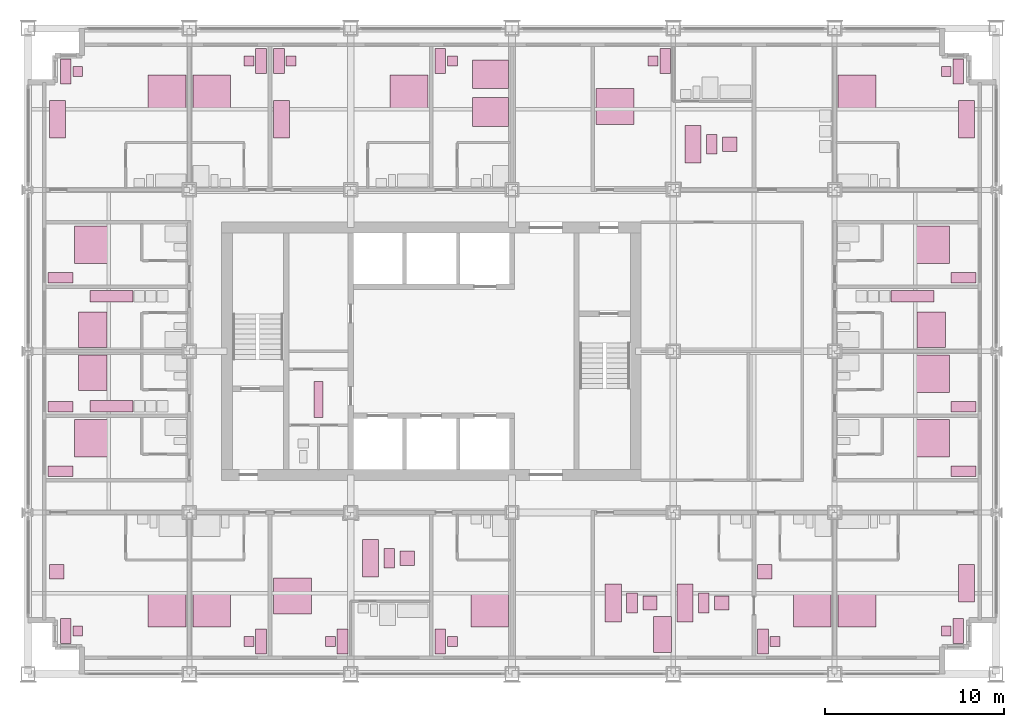
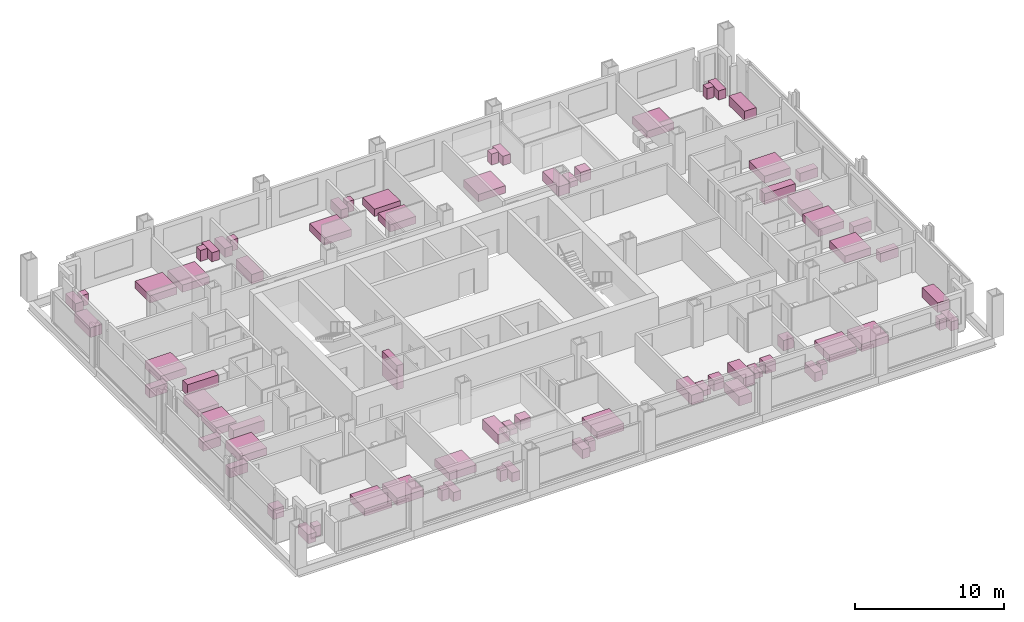
# One storey, part 18 of 18: 74 furniture elements.
"""IFC4 building model written with IfcOpenShell, lengths in metres."""

from ifc_helpers import new_model, si_unit, direction, frame, origin, origin_2d, place, context, subcontext, project, spatial, rectangle, extrude, element, save


model = new_model("IFC4")

# Units and contexts
model_context = context("Model", 3, precision=1e-05, world=origin(), true_north=direction((0.0, 1.0)))
body_context = subcontext(model_context, "Body", "Model", "MODEL_VIEW")
ifc_project = project(units=[si_unit("LENGTHUNIT", "METRE"), si_unit("AREAUNIT", "SQUARE_METRE"), si_unit("VOLUMEUNIT", "CUBIC_METRE"), si_unit("PLANEANGLEUNIT", "RADIAN"), si_unit("MASSUNIT", "GRAM", prefix="KILO")], contexts=[model_context])

# Site, building, storey
site_placement = place(None, origin())
site = spatial("IfcSite", under=ifc_project, at=site_placement, CompositionType="ELEMENT")
building_placement = place(site_placement, origin())
building = spatial("IfcBuilding", under=site, at=building_placement, Name="Loomwork Tower", CompositionType="ELEMENT")
storey_placement = place(building_placement, frame((0.0, 0.0, 55.199951171875)))
storey = spatial("IfcBuildingStorey", under=building, at=storey_placement, Name="L13", CompositionType="ELEMENT", Elevation=55.199951171875)

# Furniture
furniture_1_placement = place(storey_placement, frame((7.75, 3.60009765625, 0.0), z_axis=(0.0, 0.0, 1.0), x_axis=(1.0, 0.0, 0.0)))
element("IfcFurniture", 1, at=furniture_1_placement, inside=storey, Name="King bed L13", PredefinedType="BED", context=body_context, shape_type="SweptSolid", body=[
    extrude(rectangle(XDim=2.10009765625, YDim=2.0, at=origin_2d()), origin(), (0.0, 0.0, 1.0), 0.60009765625),
])
furniture_2_placement = place(storey_placement, frame((2.10009765625, 2.39990234375, 0.0), z_axis=(0.0, 0.0, 1.0), x_axis=(1.0, 0.0, 0.0)))
element("IfcFurniture", 2, at=furniture_2_placement, inside=storey, Name="Writing desk L13", PredefinedType="DESK", context=body_context, shape_type="SweptSolid", body=[
    extrude(rectangle(XDim=0.60009765625, YDim=1.39990234375, at=origin_2d()), origin(), (0.0, 0.0, 1.0), 0.75),
])
furniture_3_placement = place(storey_placement, frame((2.77490234375, 2.39990234375, 0.0), z_axis=(0.0, 0.0, 1.0), x_axis=(1.0, 0.0, 0.0)))
element("IfcFurniture", 3, at=furniture_3_placement, inside=storey, Name="Desk chair L13", PredefinedType="CHAIR", context=body_context, shape_type="SweptSolid", body=[
    extrude(rectangle(XDim=0.550048828125, YDim=0.550048828125, at=origin_2d()), origin(), (0.0, 0.0, 1.0), 0.89990234375),
])
furniture_4_placement = place(storey_placement, frame((1.60009765625, 5.699951171875, 0.0), z_axis=(0.0, 0.0, 1.0), x_axis=(1.0, 0.0, 0.0)))
element("IfcFurniture", 4, at=furniture_4_placement, inside=storey, Name="Lounge armchair L13", PredefinedType="CHAIR", context=body_context, shape_type="SweptSolid", body=[
    extrude(rectangle(XDim=0.800048828125, YDim=0.800048828125, at=origin_2d()), origin(), (0.0, 0.0, 1.0), 0.85009765625),
])
furniture_5_placement = place(storey_placement, frame((10.25, 3.60009765625, 0.0), z_axis=(0.0, 0.0, 1.0), x_axis=(1.0, 0.0, 0.0)))
element("IfcFurniture", 5, at=furniture_5_placement, inside=storey, Name="King bed L13", PredefinedType="BED", context=body_context, shape_type="SweptSolid", body=[
    extrude(rectangle(XDim=2.10009765625, YDim=2.0, at=origin_2d()), origin(), (0.0, 0.0, 1.0), 0.60009765625),
])
furniture_6_placement = place(storey_placement, frame((13.0, 1.800048828125, 0.0), z_axis=(0.0, 0.0, 1.0), x_axis=(1.0, 0.0, 0.0)))
element("IfcFurniture", 6, at=furniture_6_placement, inside=storey, Name="Writing desk L13", PredefinedType="DESK", context=body_context, shape_type="SweptSolid", body=[
    extrude(rectangle(XDim=0.60009765625, YDim=1.39990234375, at=origin_2d()), origin(), (0.0, 0.0, 1.0), 0.75),
])
furniture_7_placement = place(storey_placement, frame((12.324951171875, 1.800048828125, 0.0), z_axis=(0.0, 0.0, 1.0), x_axis=(1.0, 0.0, 0.0)))
element("IfcFurniture", 7, at=furniture_7_placement, inside=storey, Name="Desk chair L13", PredefinedType="CHAIR", context=body_context, shape_type="SweptSolid", body=[
    extrude(rectangle(XDim=0.550048828125, YDim=0.550048828125, at=origin_2d()), origin(), (0.0, 0.0, 1.0), 0.89990234375),
])
furniture_8_placement = place(storey_placement, frame((14.75, 4.35009765625, 0.0), z_axis=(0.0, 0.0, 1.0), x_axis=(1.0, 0.0, 0.0)))
element("IfcFurniture", 8, at=furniture_8_placement, inside=storey, Name="King bed L13", PredefinedType="BED", context=body_context, shape_type="SweptSolid", body=[
    extrude(rectangle(XDim=2.10009765625, YDim=2.0, at=origin_2d()), origin(), (0.0, 0.0, 1.0), 0.60009765625),
])
furniture_9_placement = place(storey_placement, frame((17.550048828125, 1.800048828125, 0.0), z_axis=(0.0, 0.0, 1.0), x_axis=(1.0, 0.0, 0.0)))
element("IfcFurniture", 9, at=furniture_9_placement, inside=storey, Name="Writing desk L13", PredefinedType="DESK", context=body_context, shape_type="SweptSolid", body=[
    extrude(rectangle(XDim=0.60009765625, YDim=1.39990234375, at=origin_2d()), origin(), (0.0, 0.0, 1.0), 0.75),
])
furniture_10_placement = place(storey_placement, frame((16.875, 1.800048828125, 0.0), z_axis=(0.0, 0.0, 1.0), x_axis=(1.0, 0.0, 0.0)))
element("IfcFurniture", 10, at=furniture_10_placement, inside=storey, Name="Desk chair L13", PredefinedType="CHAIR", context=body_context, shape_type="SweptSolid", body=[
    extrude(rectangle(XDim=0.550048828125, YDim=0.550048828125, at=origin_2d()), origin(), (0.0, 0.0, 1.0), 0.89990234375),
])
furniture_11_placement = place(storey_placement, frame((19.10009765625, 6.449951171875, 0.0), z_axis=(0.0, 0.0, 1.0), x_axis=(1.0, 0.0, 0.0)))
element("IfcFurniture", 11, at=furniture_11_placement, inside=storey, Name="Sofa L13", PredefinedType="SOFA", context=body_context, shape_type="SweptSolid", body=[
    extrude(rectangle(XDim=0.89990234375, YDim=2.10009765625, at=origin_2d()), origin(), (0.0, 0.0, 1.0), 0.800048828125),
])
furniture_12_placement = place(storey_placement, frame((20.14990234375, 6.449951171875, 0.0), z_axis=(0.0, 0.0, 1.0), x_axis=(1.0, 0.0, 0.0)))
element("IfcFurniture", 12, at=furniture_12_placement, inside=storey, Name="Coffee table L13", PredefinedType="TABLE", context=body_context, shape_type="SweptSolid", body=[
    extrude(rectangle(XDim=0.60009765625, YDim=1.10009765625, at=origin_2d()), origin(), (0.0, 0.0, 1.0), 0.449951171875),
])
furniture_13_placement = place(storey_placement, frame((21.14990234375, 6.449951171875, 0.0), z_axis=(0.0, 0.0, 1.0), x_axis=(1.0, 0.0, 0.0)))
element("IfcFurniture", 13, at=furniture_13_placement, inside=storey, Name="Lounge armchair L13", PredefinedType="CHAIR", context=body_context, shape_type="SweptSolid", body=[
    extrude(rectangle(XDim=0.800048828125, YDim=0.800048828125, at=origin_2d()), origin(), (0.0, 0.0, 1.0), 0.85009765625),
])
furniture_14_placement = place(storey_placement, frame((25.75, 3.60009765625, 0.0), z_axis=(0.0, 0.0, 1.0), x_axis=(1.0, 0.0, 0.0)))
element("IfcFurniture", 14, at=furniture_14_placement, inside=storey, Name="King bed L13", PredefinedType="BED", context=body_context, shape_type="SweptSolid", body=[
    extrude(rectangle(XDim=2.10009765625, YDim=2.0, at=origin_2d()), origin(), (0.0, 0.0, 1.0), 0.60009765625),
])
furniture_15_placement = place(storey_placement, frame((23.0, 1.800048828125, 0.0), z_axis=(0.0, 0.0, 1.0), x_axis=(1.0, 0.0, 0.0)))
element("IfcFurniture", 15, at=furniture_15_placement, inside=storey, Name="Writing desk L13", PredefinedType="DESK", context=body_context, shape_type="SweptSolid", body=[
    extrude(rectangle(XDim=0.60009765625, YDim=1.39990234375, at=origin_2d()), origin(), (0.0, 0.0, 1.0), 0.75),
])
furniture_16_placement = place(storey_placement, frame((23.675048828125, 1.800048828125, 0.0), z_axis=(0.0, 0.0, 1.0), x_axis=(1.0, 0.0, 0.0)))
element("IfcFurniture", 16, at=furniture_16_placement, inside=storey, Name="Desk chair L13", PredefinedType="CHAIR", context=body_context, shape_type="SweptSolid", body=[
    extrude(rectangle(XDim=0.550048828125, YDim=0.550048828125, at=origin_2d()), origin(), (0.0, 0.0, 1.0), 0.89990234375),
])
furniture_17_placement = place(storey_placement, frame((32.64990234375, 3.949951171875, 0.0), z_axis=(0.0, 0.0, 1.0), x_axis=(1.0, 0.0, 0.0)))
element("IfcFurniture", 17, at=furniture_17_placement, inside=storey, Name="Sofa L13", PredefinedType="SOFA", context=body_context, shape_type="SweptSolid", body=[
    extrude(rectangle(XDim=0.89990234375, YDim=2.10009765625, at=origin_2d()), origin(), (0.0, 0.0, 1.0), 0.800048828125),
])
furniture_18_placement = place(storey_placement, frame((33.699951171875, 3.949951171875, 0.0), z_axis=(0.0, 0.0, 1.0), x_axis=(1.0, 0.0, 0.0)))
element("IfcFurniture", 18, at=furniture_18_placement, inside=storey, Name="Coffee table L13", PredefinedType="TABLE", context=body_context, shape_type="SweptSolid", body=[
    extrude(rectangle(XDim=0.60009765625, YDim=1.10009765625, at=origin_2d()), origin(), (0.0, 0.0, 1.0), 0.449951171875),
])
furniture_19_placement = place(storey_placement, frame((34.699951171875, 3.949951171875, 0.0), z_axis=(0.0, 0.0, 1.0), x_axis=(1.0, 0.0, 0.0)))
element("IfcFurniture", 19, at=furniture_19_placement, inside=storey, Name="Lounge armchair L13", PredefinedType="CHAIR", context=body_context, shape_type="SweptSolid", body=[
    extrude(rectangle(XDim=0.800048828125, YDim=0.800048828125, at=origin_2d()), origin(), (0.0, 0.0, 1.0), 0.85009765625),
])
furniture_20_placement = place(storey_placement, frame((36.64990234375, 3.949951171875, 0.0), z_axis=(0.0, 0.0, 1.0), x_axis=(1.0, 0.0, 0.0)))
element("IfcFurniture", 20, at=furniture_20_placement, inside=storey, Name="Sofa L13", PredefinedType="SOFA", context=body_context, shape_type="SweptSolid", body=[
    extrude(rectangle(XDim=0.89990234375, YDim=2.10009765625, at=origin_2d()), origin(), (0.0, 0.0, 1.0), 0.800048828125),
])
furniture_21_placement = place(storey_placement, frame((37.699951171875, 3.949951171875, 0.0), z_axis=(0.0, 0.0, 1.0), x_axis=(1.0, 0.0, 0.0)))
element("IfcFurniture", 21, at=furniture_21_placement, inside=storey, Name="Coffee table L13", PredefinedType="TABLE", context=body_context, shape_type="SweptSolid", body=[
    extrude(rectangle(XDim=0.60009765625, YDim=1.10009765625, at=origin_2d()), origin(), (0.0, 0.0, 1.0), 0.449951171875),
])
furniture_22_placement = place(storey_placement, frame((38.699951171875, 3.949951171875, 0.0), z_axis=(0.0, 0.0, 1.0), x_axis=(1.0, 0.0, 0.0)))
element("IfcFurniture", 22, at=furniture_22_placement, inside=storey, Name="Lounge armchair L13", PredefinedType="CHAIR", context=body_context, shape_type="SweptSolid", body=[
    extrude(rectangle(XDim=0.800048828125, YDim=0.800048828125, at=origin_2d()), origin(), (0.0, 0.0, 1.0), 0.85009765625),
])
furniture_23_placement = place(storey_placement, frame((35.39990234375, 2.199951171875, 0.0), z_axis=(0.0, 0.0, 1.0), x_axis=(1.0, 0.0, 0.0)))
element("IfcFurniture", 23, at=furniture_23_placement, inside=storey, Name="Dining table L13", PredefinedType="TABLE", context=body_context, shape_type="SweptSolid", body=[
    extrude(rectangle(XDim=1.0, YDim=2.0, at=origin_2d()), origin(), (0.0, 0.0, 1.0), 0.75),
])
furniture_24_placement = place(storey_placement, frame((43.75, 3.60009765625, 0.0), z_axis=(0.0, 0.0, 1.0), x_axis=(1.0, 0.0, 0.0)))
element("IfcFurniture", 24, at=furniture_24_placement, inside=storey, Name="King bed L13", PredefinedType="BED", context=body_context, shape_type="SweptSolid", body=[
    extrude(rectangle(XDim=2.10009765625, YDim=2.0, at=origin_2d()), origin(), (0.0, 0.0, 1.0), 0.60009765625),
])
furniture_25_placement = place(storey_placement, frame((41.0, 1.800048828125, 0.0), z_axis=(0.0, 0.0, 1.0), x_axis=(1.0, 0.0, 0.0)))
element("IfcFurniture", 25, at=furniture_25_placement, inside=storey, Name="Writing desk L13", PredefinedType="DESK", context=body_context, shape_type="SweptSolid", body=[
    extrude(rectangle(XDim=0.60009765625, YDim=1.39990234375, at=origin_2d()), origin(), (0.0, 0.0, 1.0), 0.75),
])
furniture_26_placement = place(storey_placement, frame((41.675048828125, 1.800048828125, 0.0), z_axis=(0.0, 0.0, 1.0), x_axis=(1.0, 0.0, 0.0)))
element("IfcFurniture", 26, at=furniture_26_placement, inside=storey, Name="Desk chair L13", PredefinedType="CHAIR", context=body_context, shape_type="SweptSolid", body=[
    extrude(rectangle(XDim=0.550048828125, YDim=0.550048828125, at=origin_2d()), origin(), (0.0, 0.0, 1.0), 0.89990234375),
])
furniture_27_placement = place(storey_placement, frame((41.10009765625, 5.699951171875, 0.0), z_axis=(0.0, 0.0, 1.0), x_axis=(1.0, 0.0, 0.0)))
element("IfcFurniture", 27, at=furniture_27_placement, inside=storey, Name="Lounge armchair L13", PredefinedType="CHAIR", context=body_context, shape_type="SweptSolid", body=[
    extrude(rectangle(XDim=0.800048828125, YDim=0.800048828125, at=origin_2d()), origin(), (0.0, 0.0, 1.0), 0.85009765625),
])
furniture_28_placement = place(storey_placement, frame((46.25, 3.60009765625, 0.0), z_axis=(0.0, 0.0, 1.0), x_axis=(1.0, 0.0, 0.0)))
element("IfcFurniture", 28, at=furniture_28_placement, inside=storey, Name="King bed L13", PredefinedType="BED", context=body_context, shape_type="SweptSolid", body=[
    extrude(rectangle(XDim=2.10009765625, YDim=2.0, at=origin_2d()), origin(), (0.0, 0.0, 1.0), 0.60009765625),
])
furniture_29_placement = place(storey_placement, frame((51.89990234375, 2.39990234375, 0.0), z_axis=(0.0, 0.0, 1.0), x_axis=(1.0, 0.0, 0.0)))
element("IfcFurniture", 29, at=furniture_29_placement, inside=storey, Name="Writing desk L13", PredefinedType="DESK", context=body_context, shape_type="SweptSolid", body=[
    extrude(rectangle(XDim=0.60009765625, YDim=1.39990234375, at=origin_2d()), origin(), (0.0, 0.0, 1.0), 0.75),
])
furniture_30_placement = place(storey_placement, frame((51.22509765625, 2.39990234375, 0.0), z_axis=(0.0, 0.0, 1.0), x_axis=(1.0, 0.0, 0.0)))
element("IfcFurniture", 30, at=furniture_30_placement, inside=storey, Name="Desk chair L13", PredefinedType="CHAIR", context=body_context, shape_type="SweptSolid", body=[
    extrude(rectangle(XDim=0.550048828125, YDim=0.550048828125, at=origin_2d()), origin(), (0.0, 0.0, 1.0), 0.89990234375),
])
furniture_31_placement = place(storey_placement, frame((52.35009765625, 5.050048828125, 0.0), z_axis=(0.0, 0.0, 1.0), x_axis=(1.0, 0.0, 0.0)))
element("IfcFurniture", 31, at=furniture_31_placement, inside=storey, Name="Sofa L13", PredefinedType="SOFA", context=body_context, shape_type="SweptSolid", body=[
    extrude(rectangle(XDim=0.89990234375, YDim=2.10009765625, at=origin_2d()), origin(), (0.0, 0.0, 1.0), 0.800048828125),
])
furniture_32_placement = place(storey_placement, frame((7.75, 32.39990234375, 0.0), z_axis=(0.0, 0.0, 1.0), x_axis=(1.0, 0.0, 0.0)))
element("IfcFurniture", 32, at=furniture_32_placement, inside=storey, Name="King bed L13", PredefinedType="BED", context=body_context, shape_type="SweptSolid", body=[
    extrude(rectangle(XDim=2.10009765625, YDim=2.0, at=origin_2d()), origin(), (0.0, 0.0, 1.0), 0.60009765625),
])
furniture_33_placement = place(storey_placement, frame((2.10009765625, 33.60009765625, 0.0), z_axis=(0.0, 0.0, 1.0), x_axis=(1.0, 0.0, 0.0)))
element("IfcFurniture", 33, at=furniture_33_placement, inside=storey, Name="Writing desk L13", PredefinedType="DESK", context=body_context, shape_type="SweptSolid", body=[
    extrude(rectangle(XDim=0.60009765625, YDim=1.39990234375, at=origin_2d()), origin(), (0.0, 0.0, 1.0), 0.75),
])
furniture_34_placement = place(storey_placement, frame((2.77490234375, 33.60009765625, 0.0), z_axis=(0.0, 0.0, 1.0), x_axis=(1.0, 0.0, 0.0)))
element("IfcFurniture", 34, at=furniture_34_placement, inside=storey, Name="Desk chair L13", PredefinedType="CHAIR", context=body_context, shape_type="SweptSolid", body=[
    extrude(rectangle(XDim=0.550048828125, YDim=0.550048828125, at=origin_2d()), origin(), (0.0, 0.0, 1.0), 0.89990234375),
])
furniture_35_placement = place(storey_placement, frame((1.64990234375, 30.949951171875, 0.0), z_axis=(0.0, 0.0, 1.0), x_axis=(1.0, 0.0, 0.0)))
element("IfcFurniture", 35, at=furniture_35_placement, inside=storey, Name="Sofa L13", PredefinedType="SOFA", context=body_context, shape_type="SweptSolid", body=[
    extrude(rectangle(XDim=0.89990234375, YDim=2.10009765625, at=origin_2d()), origin(), (0.0, 0.0, 1.0), 0.800048828125),
])
furniture_36_placement = place(storey_placement, frame((10.25, 32.39990234375, 0.0), z_axis=(0.0, 0.0, 1.0), x_axis=(1.0, 0.0, 0.0)))
element("IfcFurniture", 36, at=furniture_36_placement, inside=storey, Name="King bed L13", PredefinedType="BED", context=body_context, shape_type="SweptSolid", body=[
    extrude(rectangle(XDim=2.10009765625, YDim=2.0, at=origin_2d()), origin(), (0.0, 0.0, 1.0), 0.60009765625),
])
furniture_37_placement = place(storey_placement, frame((13.0, 34.199951171875, 0.0), z_axis=(0.0, 0.0, 1.0), x_axis=(1.0, 0.0, 0.0)))
element("IfcFurniture", 37, at=furniture_37_placement, inside=storey, Name="Writing desk L13", PredefinedType="DESK", context=body_context, shape_type="SweptSolid", body=[
    extrude(rectangle(XDim=0.60009765625, YDim=1.39990234375, at=origin_2d()), origin(), (0.0, 0.0, 1.0), 0.75),
])
furniture_38_placement = place(storey_placement, frame((12.324951171875, 34.199951171875, 0.0), z_axis=(0.0, 0.0, 1.0), x_axis=(1.0, 0.0, 0.0)))
element("IfcFurniture", 38, at=furniture_38_placement, inside=storey, Name="Desk chair L13", PredefinedType="CHAIR", context=body_context, shape_type="SweptSolid", body=[
    extrude(rectangle(XDim=0.550048828125, YDim=0.550048828125, at=origin_2d()), origin(), (0.0, 0.0, 1.0), 0.89990234375),
])
furniture_39_placement = place(storey_placement, frame((21.25, 32.39990234375, 0.0), z_axis=(0.0, 0.0, 1.0), x_axis=(1.0, 0.0, 0.0)))
element("IfcFurniture", 39, at=furniture_39_placement, inside=storey, Name="King bed L13", PredefinedType="BED", context=body_context, shape_type="SweptSolid", body=[
    extrude(rectangle(XDim=2.10009765625, YDim=2.0, at=origin_2d()), origin(), (0.0, 0.0, 1.0), 0.60009765625),
])
furniture_40_placement = place(storey_placement, frame((14.0, 34.199951171875, 0.0), z_axis=(0.0, 0.0, 1.0), x_axis=(1.0, 0.0, 0.0)))
element("IfcFurniture", 40, at=furniture_40_placement, inside=storey, Name="Writing desk L13", PredefinedType="DESK", context=body_context, shape_type="SweptSolid", body=[
    extrude(rectangle(XDim=0.60009765625, YDim=1.39990234375, at=origin_2d()), origin(), (0.0, 0.0, 1.0), 0.75),
])
furniture_41_placement = place(storey_placement, frame((14.675048828125, 34.199951171875, 0.0), z_axis=(0.0, 0.0, 1.0), x_axis=(1.0, 0.0, 0.0)))
element("IfcFurniture", 41, at=furniture_41_placement, inside=storey, Name="Desk chair L13", PredefinedType="CHAIR", context=body_context, shape_type="SweptSolid", body=[
    extrude(rectangle(XDim=0.550048828125, YDim=0.550048828125, at=origin_2d()), origin(), (0.0, 0.0, 1.0), 0.89990234375),
])
furniture_42_placement = place(storey_placement, frame((14.14990234375, 30.949951171875, 0.0), z_axis=(0.0, 0.0, 1.0), x_axis=(1.0, 0.0, 0.0)))
element("IfcFurniture", 42, at=furniture_42_placement, inside=storey, Name="Sofa L13", PredefinedType="SOFA", context=body_context, shape_type="SweptSolid", body=[
    extrude(rectangle(XDim=0.89990234375, YDim=2.10009765625, at=origin_2d()), origin(), (0.0, 0.0, 1.0), 0.800048828125),
])
for number, where, z_axis, x_axis, name in (
    (43, (25.800048828125, 31.35009765625, 0.0), (0.0, 0.0, 1.0), (1.0, 0.0, 0.0), "Queen bed L13"),
    (44, (25.800048828125, 33.449951171875, 0.0), (0.0, 0.0, 1.0), (1.0, 0.0, 0.0), "Queen bed L13"),
):
    element("IfcFurniture", number, at=place(storey_placement, frame(where, z_axis=z_axis, x_axis=x_axis)), inside=storey, Name=name, PredefinedType="BED", context=body_context, shape_type="SweptSolid", body=[
        extrude(rectangle(XDim=2.0, YDim=1.60009765625, at=origin_2d()), origin(), (0.0, 0.0, 1.0), 0.60009765625),
    ])
furniture_43_placement = place(storey_placement, frame((23.0, 34.199951171875, 0.0), z_axis=(0.0, 0.0, 1.0), x_axis=(1.0, 0.0, 0.0)))
element("IfcFurniture", 45, at=furniture_43_placement, inside=storey, Name="Writing desk L13", PredefinedType="DESK", context=body_context, shape_type="SweptSolid", body=[
    extrude(rectangle(XDim=0.60009765625, YDim=1.39990234375, at=origin_2d()), origin(), (0.0, 0.0, 1.0), 0.75),
])
furniture_44_placement = place(storey_placement, frame((23.675048828125, 34.199951171875, 0.0), z_axis=(0.0, 0.0, 1.0), x_axis=(1.0, 0.0, 0.0)))
element("IfcFurniture", 46, at=furniture_44_placement, inside=storey, Name="Desk chair L13", PredefinedType="CHAIR", context=body_context, shape_type="SweptSolid", body=[
    extrude(rectangle(XDim=0.550048828125, YDim=0.550048828125, at=origin_2d()), origin(), (0.0, 0.0, 1.0), 0.89990234375),
])
furniture_45_placement = place(storey_placement, frame((32.75, 31.64990234375, 0.0), z_axis=(0.0, 0.0, 1.0), x_axis=(1.0, 0.0, 0.0)))
element("IfcFurniture", 47, at=furniture_45_placement, inside=storey, Name="King bed L13", PredefinedType="BED", context=body_context, shape_type="SweptSolid", body=[
    extrude(rectangle(XDim=2.10009765625, YDim=2.0, at=origin_2d()), origin(), (0.0, 0.0, 1.0), 0.60009765625),
])
furniture_46_placement = place(storey_placement, frame((35.550048828125, 34.199951171875, 0.0), z_axis=(0.0, 0.0, 1.0), x_axis=(1.0, 0.0, 0.0)))
element("IfcFurniture", 48, at=furniture_46_placement, inside=storey, Name="Writing desk L13", PredefinedType="DESK", context=body_context, shape_type="SweptSolid", body=[
    extrude(rectangle(XDim=0.60009765625, YDim=1.39990234375, at=origin_2d()), origin(), (0.0, 0.0, 1.0), 0.75),
])
furniture_47_placement = place(storey_placement, frame((34.875, 34.199951171875, 0.0), z_axis=(0.0, 0.0, 1.0), x_axis=(1.0, 0.0, 0.0)))
element("IfcFurniture", 49, at=furniture_47_placement, inside=storey, Name="Desk chair L13", PredefinedType="CHAIR", context=body_context, shape_type="SweptSolid", body=[
    extrude(rectangle(XDim=0.550048828125, YDim=0.550048828125, at=origin_2d()), origin(), (0.0, 0.0, 1.0), 0.89990234375),
])
furniture_48_placement = place(storey_placement, frame((37.10009765625, 29.550048828125, 0.0), z_axis=(0.0, 0.0, 1.0), x_axis=(1.0, 0.0, 0.0)))
element("IfcFurniture", 50, at=furniture_48_placement, inside=storey, Name="Sofa L13", PredefinedType="SOFA", context=body_context, shape_type="SweptSolid", body=[
    extrude(rectangle(XDim=0.89990234375, YDim=2.10009765625, at=origin_2d()), origin(), (0.0, 0.0, 1.0), 0.800048828125),
])
furniture_49_placement = place(storey_placement, frame((38.14990234375, 29.550048828125, 0.0), z_axis=(0.0, 0.0, 1.0), x_axis=(1.0, 0.0, 0.0)))
element("IfcFurniture", 51, at=furniture_49_placement, inside=storey, Name="Coffee table L13", PredefinedType="TABLE", context=body_context, shape_type="SweptSolid", body=[
    extrude(rectangle(XDim=0.60009765625, YDim=1.10009765625, at=origin_2d()), origin(), (0.0, 0.0, 1.0), 0.449951171875),
])
furniture_50_placement = place(storey_placement, frame((39.14990234375, 29.550048828125, 0.0), z_axis=(0.0, 0.0, 1.0), x_axis=(1.0, 0.0, 0.0)))
element("IfcFurniture", 52, at=furniture_50_placement, inside=storey, Name="Lounge armchair L13", PredefinedType="CHAIR", context=body_context, shape_type="SweptSolid", body=[
    extrude(rectangle(XDim=0.800048828125, YDim=0.800048828125, at=origin_2d()), origin(), (0.0, 0.0, 1.0), 0.85009765625),
])
furniture_51_placement = place(storey_placement, frame((46.25, 32.39990234375, 0.0), z_axis=(0.0, 0.0, 1.0), x_axis=(1.0, 0.0, 0.0)))
element("IfcFurniture", 53, at=furniture_51_placement, inside=storey, Name="King bed L13", PredefinedType="BED", context=body_context, shape_type="SweptSolid", body=[
    extrude(rectangle(XDim=2.10009765625, YDim=2.0, at=origin_2d()), origin(), (0.0, 0.0, 1.0), 0.60009765625),
])
furniture_52_placement = place(storey_placement, frame((51.89990234375, 33.60009765625, 0.0), z_axis=(0.0, 0.0, 1.0), x_axis=(1.0, 0.0, 0.0)))
element("IfcFurniture", 54, at=furniture_52_placement, inside=storey, Name="Writing desk L13", PredefinedType="DESK", context=body_context, shape_type="SweptSolid", body=[
    extrude(rectangle(XDim=0.60009765625, YDim=1.39990234375, at=origin_2d()), origin(), (0.0, 0.0, 1.0), 0.75),
])
furniture_53_placement = place(storey_placement, frame((51.22509765625, 33.60009765625, 0.0), z_axis=(0.0, 0.0, 1.0), x_axis=(1.0, 0.0, 0.0)))
element("IfcFurniture", 55, at=furniture_53_placement, inside=storey, Name="Desk chair L13", PredefinedType="CHAIR", context=body_context, shape_type="SweptSolid", body=[
    extrude(rectangle(XDim=0.550048828125, YDim=0.550048828125, at=origin_2d()), origin(), (0.0, 0.0, 1.0), 0.89990234375),
])
furniture_54_placement = place(storey_placement, frame((52.35009765625, 30.949951171875, 0.0), z_axis=(0.0, 0.0, 1.0), x_axis=(1.0, 0.0, 0.0)))
element("IfcFurniture", 56, at=furniture_54_placement, inside=storey, Name="Sofa L13", PredefinedType="SOFA", context=body_context, shape_type="SweptSolid", body=[
    extrude(rectangle(XDim=0.89990234375, YDim=2.10009765625, at=origin_2d()), origin(), (0.0, 0.0, 1.0), 0.800048828125),
])
furniture_55_placement = place(storey_placement, frame((3.60009765625, 13.14990234375, 0.0), z_axis=(0.0, 0.0, 1.0), x_axis=(1.0, 0.0, 0.0)))
element("IfcFurniture", 57, at=furniture_55_placement, inside=storey, Name="King bed L13", PredefinedType="BED", context=body_context, shape_type="SweptSolid", body=[
    extrude(rectangle(XDim=2.0, YDim=2.10009765625, at=origin_2d()), origin(), (0.0, 0.0, 1.0), 0.60009765625),
])
furniture_56_placement = place(storey_placement, frame((1.800048828125, 11.300048828125, 0.0), z_axis=(0.0, 0.0, 1.0), x_axis=(1.0, 0.0, 0.0)))
element("IfcFurniture", 58, at=furniture_56_placement, inside=storey, Name="Writing desk L13", PredefinedType="DESK", context=body_context, shape_type="SweptSolid", body=[
    extrude(rectangle(XDim=1.39990234375, YDim=0.60009765625, at=origin_2d()), origin(), (0.0, 0.0, 1.0), 0.75),
])
furniture_57_placement = place(storey_placement, frame((3.60009765625, 16.800048828125, 0.0), z_axis=(0.0, 0.0, 1.0), x_axis=(1.0, 0.0, 0.0)))
element("IfcFurniture", 59, at=furniture_57_placement, inside=storey, Name="Queen bed L13", PredefinedType="BED", context=body_context, shape_type="SweptSolid", body=[
    extrude(rectangle(XDim=1.60009765625, YDim=2.0, at=origin_2d()), origin(), (0.0, 0.0, 1.0), 0.60009765625),
])
furniture_58_placement = place(storey_placement, frame((1.800048828125, 14.89990234375, 0.0), z_axis=(0.0, 0.0, 1.0), x_axis=(1.0, 0.0, 0.0)))
element("IfcFurniture", 60, at=furniture_58_placement, inside=storey, Name="Writing desk L13", PredefinedType="DESK", context=body_context, shape_type="SweptSolid", body=[
    extrude(rectangle(XDim=1.39990234375, YDim=0.60009765625, at=origin_2d()), origin(), (0.0, 0.0, 1.0), 0.75),
])
furniture_59_placement = place(storey_placement, frame((4.64990234375, 14.925048828125, 0.0), z_axis=(0.0, 0.0, 1.0), x_axis=(1.0, 0.0, 0.0)))
element("IfcFurniture", 61, at=furniture_59_placement, inside=storey, Name="Kitchenette counter L13", ObjectType="KITCHENETTE", PredefinedType="USERDEFINED", context=body_context, shape_type="SweptSolid", body=[
    extrude(rectangle(XDim=2.39990234375, YDim=0.64990234375, at=origin_2d()), origin(), (0.0, 0.0, 1.0), 0.89990234375),
])
furniture_60_placement = place(storey_placement, frame((3.60009765625, 19.199951171875, 0.0), z_axis=(0.0, 0.0, 1.0), x_axis=(1.0, 0.0, 0.0)))
element("IfcFurniture", 62, at=furniture_60_placement, inside=storey, Name="Queen bed L13", PredefinedType="BED", context=body_context, shape_type="SweptSolid", body=[
    extrude(rectangle(XDim=1.60009765625, YDim=2.0, at=origin_2d()), origin(), (0.0, 0.0, 1.0), 0.60009765625),
])
furniture_61_placement = place(storey_placement, frame((4.64990234375, 21.074951171875, 0.0), z_axis=(0.0, 0.0, 1.0), x_axis=(1.0, 0.0, 0.0)))
element("IfcFurniture", 63, at=furniture_61_placement, inside=storey, Name="Kitchenette counter L13", ObjectType="KITCHENETTE", PredefinedType="USERDEFINED", context=body_context, shape_type="SweptSolid", body=[
    extrude(rectangle(XDim=2.39990234375, YDim=0.64990234375, at=origin_2d()), origin(), (0.0, 0.0, 1.0), 0.89990234375),
])
furniture_62_placement = place(storey_placement, frame((3.60009765625, 23.949951171875, 0.0), z_axis=(0.0, 0.0, 1.0), x_axis=(1.0, 0.0, 0.0)))
element("IfcFurniture", 64, at=furniture_62_placement, inside=storey, Name="King bed L13", PredefinedType="BED", context=body_context, shape_type="SweptSolid", body=[
    extrude(rectangle(XDim=2.0, YDim=2.10009765625, at=origin_2d()), origin(), (0.0, 0.0, 1.0), 0.60009765625),
])
furniture_63_placement = place(storey_placement, frame((1.800048828125, 22.10009765625, 0.0), z_axis=(0.0, 0.0, 1.0), x_axis=(1.0, 0.0, 0.0)))
element("IfcFurniture", 65, at=furniture_63_placement, inside=storey, Name="Writing desk L13", PredefinedType="DESK", context=body_context, shape_type="SweptSolid", body=[
    extrude(rectangle(XDim=1.39990234375, YDim=0.60009765625, at=origin_2d()), origin(), (0.0, 0.0, 1.0), 0.75),
])
furniture_64_placement = place(storey_placement, frame((50.39990234375, 13.14990234375, 0.0), z_axis=(0.0, 0.0, 1.0), x_axis=(1.0, 0.0, 0.0)))
element("IfcFurniture", 66, at=furniture_64_placement, inside=storey, Name="King bed L13", PredefinedType="BED", context=body_context, shape_type="SweptSolid", body=[
    extrude(rectangle(XDim=2.0, YDim=2.10009765625, at=origin_2d()), origin(), (0.0, 0.0, 1.0), 0.60009765625),
])
furniture_65_placement = place(storey_placement, frame((52.199951171875, 11.300048828125, 0.0), z_axis=(0.0, 0.0, 1.0), x_axis=(1.0, 0.0, 0.0)))
element("IfcFurniture", 67, at=furniture_65_placement, inside=storey, Name="Writing desk L13", PredefinedType="DESK", context=body_context, shape_type="SweptSolid", body=[
    extrude(rectangle(XDim=1.39990234375, YDim=0.60009765625, at=origin_2d()), origin(), (0.0, 0.0, 1.0), 0.75),
])
furniture_66_placement = place(storey_placement, frame((50.39990234375, 16.75, 0.0), z_axis=(0.0, 0.0, 1.0), x_axis=(1.0, 0.0, 0.0)))
element("IfcFurniture", 68, at=furniture_66_placement, inside=storey, Name="King bed L13", PredefinedType="BED", context=body_context, shape_type="SweptSolid", body=[
    extrude(rectangle(XDim=2.0, YDim=2.10009765625, at=origin_2d()), origin(), (0.0, 0.0, 1.0), 0.60009765625),
])
furniture_67_placement = place(storey_placement, frame((52.199951171875, 14.89990234375, 0.0), z_axis=(0.0, 0.0, 1.0), x_axis=(1.0, 0.0, 0.0)))
element("IfcFurniture", 69, at=furniture_67_placement, inside=storey, Name="Writing desk L13", PredefinedType="DESK", context=body_context, shape_type="SweptSolid", body=[
    extrude(rectangle(XDim=1.39990234375, YDim=0.60009765625, at=origin_2d()), origin(), (0.0, 0.0, 1.0), 0.75),
])
furniture_68_placement = place(storey_placement, frame((50.39990234375, 19.199951171875, 0.0), z_axis=(0.0, 0.0, 1.0), x_axis=(1.0, 0.0, 0.0)))
element("IfcFurniture", 70, at=furniture_68_placement, inside=storey, Name="Queen bed L13", PredefinedType="BED", context=body_context, shape_type="SweptSolid", body=[
    extrude(rectangle(XDim=1.60009765625, YDim=2.0, at=origin_2d()), origin(), (0.0, 0.0, 1.0), 0.60009765625),
])
furniture_69_placement = place(storey_placement, frame((49.35009765625, 21.074951171875, 0.0), z_axis=(0.0, 0.0, 1.0), x_axis=(1.0, 0.0, 0.0)))
element("IfcFurniture", 71, at=furniture_69_placement, inside=storey, Name="Kitchenette counter L13", ObjectType="KITCHENETTE", PredefinedType="USERDEFINED", context=body_context, shape_type="SweptSolid", body=[
    extrude(rectangle(XDim=2.39990234375, YDim=0.64990234375, at=origin_2d()), origin(), (0.0, 0.0, 1.0), 0.89990234375),
])
furniture_70_placement = place(storey_placement, frame((50.39990234375, 23.949951171875, 0.0), z_axis=(0.0, 0.0, 1.0), x_axis=(1.0, 0.0, 0.0)))
element("IfcFurniture", 72, at=furniture_70_placement, inside=storey, Name="King bed L13", PredefinedType="BED", context=body_context, shape_type="SweptSolid", body=[
    extrude(rectangle(XDim=2.0, YDim=2.10009765625, at=origin_2d()), origin(), (0.0, 0.0, 1.0), 0.60009765625),
])
furniture_71_placement = place(storey_placement, frame((52.199951171875, 22.10009765625, 0.0), z_axis=(0.0, 0.0, 1.0), x_axis=(1.0, 0.0, 0.0)))
element("IfcFurniture", 73, at=furniture_71_placement, inside=storey, Name="Writing desk L13", PredefinedType="DESK", context=body_context, shape_type="SweptSolid", body=[
    extrude(rectangle(XDim=1.39990234375, YDim=0.60009765625, at=origin_2d()), origin(), (0.0, 0.0, 1.0), 0.75),
])
furniture_72_placement = place(storey_placement, frame((16.199951171875, 15.300048828125, 0.0), z_axis=(0.0, 0.0, 1.0), x_axis=(1.0, 0.0, 0.0)))
element("IfcFurniture", 74, at=furniture_72_placement, inside=storey, Name="Linen shelving L13", PredefinedType="SHELF", context=body_context, shape_type="SweptSolid", body=[
    extrude(rectangle(XDim=0.5, YDim=2.0, at=origin_2d()), origin(), (0.0, 0.0, 1.0), 2.0),
])

save(model, "model.ifc")
